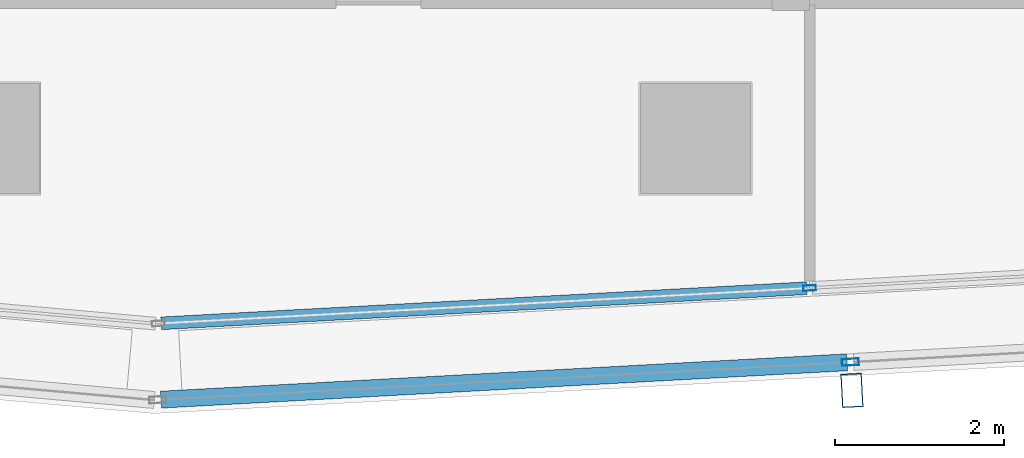
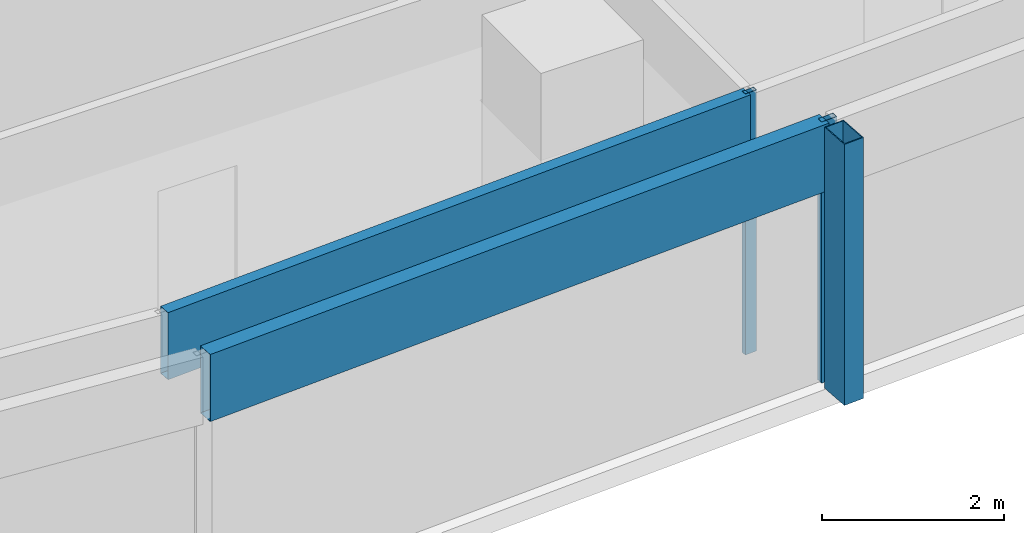
# One storey, part 6 of 26: 5 members, 2 elements without a shape of their own.
"""IFC4 building model written with IfcOpenShell, lengths in metres."""

from ifc_helpers import new_model, si_unit, direction, frame, origin, origin_2d, place, context, subcontext, project, spatial, hollow_rectangle, extrude, material, material_profile, profile_set, type_object, element, aggregate, save


model = new_model("IFC4")

# Units and contexts
model_context = context("Model", 3, precision=1e-05, world=origin(), true_north=direction((0.0, 1.0)))
body_context = subcontext(model_context, "Body", "Model", "MODEL_VIEW")
ifc_project = project(units=[si_unit("LENGTHUNIT", "METRE"), si_unit("AREAUNIT", "SQUARE_METRE"), si_unit("VOLUMEUNIT", "CUBIC_METRE"), si_unit("PLANEANGLEUNIT", "RADIAN"), si_unit("MASSUNIT", "GRAM", prefix="KILO")], contexts=[model_context])

# Site, building, storey
site_placement = place(None, origin())
site = spatial("IfcSite", under=ifc_project, at=site_placement, CompositionType="ELEMENT")
building_placement = place(site_placement, origin())
building = spatial("IfcBuilding", under=site, at=building_placement, Name="Rekha Terrace Tower", CompositionType="ELEMENT")
storey_placement = place(building_placement, frame((0.0, 0.0, 283.85009765625)))
storey = spatial("IfcBuildingStorey", under=building, at=storey_placement, Name="L72", CompositionType="ELEMENT", Elevation=283.85009765625)

# Curtain wall, member
ifc_material_1 = material(Name="Aluminium framing", Category="aluminium")
curtain_wall_type_1 = type_object("IfcCurtainWallType", Name="CW2 double skin outer glazing", PredefinedType="USERDEFINED", material=ifc_material_1)
curtain_wall_1_placement = place(storey_placement, origin())
curtain_wall_1 = element("IfcCurtainWall", 1, at=curtain_wall_1_placement, inside=storey, type_object=curtain_wall_type_1, Name="CW2 double skin outer glazing", ObjectType="DOUBLE SKIN OUTER GLAZING", PredefinedType="USERDEFINED")
ifc_material_2 = material(Name="Steel S355 with fluorocarbon finish", Category="steel")
ifc_material_profile_1 = material_profile(ifc_material_2, hollow_rectangle(XDim=0.25, YDim=0.39990234375, WallThickness=0.012451171875, at=origin_2d()), Name="RHS400x250x12.5")
ifc_profile_set_1 = profile_set([ifc_material_profile_1], Name="Steel S355 with fluorocarbon finish")
member_type_1 = type_object("IfcMemberType", Name="BL1 facade blade RHS 400 x 250", PredefinedType="USERDEFINED", material=ifc_profile_set_1)
member_1_placement = place(storey_placement, frame((35.4482421875, 13.82373046875, 0.0), z_axis=(0.0, 0.0, 1.0), x_axis=(0.99851982155, 0.054389024366, 0.0)))
member_1 = element("IfcMember", 2, at=member_1_placement, type_object=member_type_1, Name="Facade blade", ObjectType="FACADE BLADE", PredefinedType="USERDEFINED", context=body_context, shape_type="SweptSolid", body=[
    extrude(hollow_rectangle(XDim=0.25, YDim=0.39990234375, WallThickness=0.012451171875, at=origin_2d()), origin(), (0.0, 0.0, 1.0), 3.5),
])

# Curtain wall, members
curtain_wall_type_2 = type_object("IfcCurtainWallType", Name="CW1 double skin inner glazing", PredefinedType="USERDEFINED", material=ifc_material_1)
curtain_wall_2_placement = place(storey_placement, origin())
curtain_wall_2 = element("IfcCurtainWall", 3, at=curtain_wall_2_placement, inside=storey, type_object=curtain_wall_type_2, Name="CW1 double skin inner glazing", ObjectType="DOUBLE SKIN INNER GLAZING", PredefinedType="USERDEFINED")
ifc_material_3 = material(Name="Aluminium mullion section", Category="aluminium")
ifc_material_profile_2 = material_profile(ifc_material_3, hollow_rectangle(XDim=0.06494140625, YDim=0.14990234375, WallThickness=0.00390625, at=origin_2d()), Name="AL RHS 65x150")
ifc_profile_set_2 = profile_set([ifc_material_profile_2], Name="Aluminium mullion section")
member_type_2 = type_object("IfcMemberType", Name="CW1 mullion RHS 65 x 150", PredefinedType="MULLION", material=ifc_profile_set_2)
member_2_placement = place(storey_placement, frame((34.94775390625, 15.033447265625, 0.0), z_axis=(0.0, 0.0, 1.0), x_axis=(-0.054388903036, 0.998519828159, 0.0)))
member_2 = element("IfcMember", 4, at=member_2_placement, type_object=member_type_2, Name="CW1 mullion 2", PredefinedType="MULLION", context=body_context, shape_type="SweptSolid", body=[
    extrude(hollow_rectangle(XDim=0.06494140625, YDim=0.14990234375, WallThickness=0.00390625, at=origin_2d()), origin(), (0.0, 0.0, 1.0), 3.5),
])
ifc_material_4 = material(Name="Insulated aluminium spandrel box", Category="aluminium")
ifc_material_profile_3 = material_profile(ifc_material_4, hollow_rectangle(XDim=0.14990234375, YDim=0.89990234375, WallThickness=0.0029296875, at=origin_2d()), Name="AL SPANDREL BOX 150x900")
ifc_profile_set_3 = profile_set([ifc_material_profile_3], Name="Insulated aluminium spandrel box")
member_type_3 = type_object("IfcMemberType", Name="CW1 spandrel transom 150 x 900", PredefinedType="USERDEFINED", material=ifc_profile_set_3)
member_3_placement = place(storey_placement, frame((27.287109375, 14.6162109375, 3.0498046875), z_axis=(0.998521390426, 0.054360213958, 0.0), x_axis=(-0.054360213958, 0.998521390426, 0.0)))
member_3 = element("IfcMember", 5, at=member_3_placement, type_object=member_type_3, Name="CW1 spandrel transom 1", ObjectType="TRANSOM", PredefinedType="USERDEFINED", context=body_context, shape_type="SweptSolid", body=[
    extrude(hollow_rectangle(XDim=0.14990234375, YDim=0.89990234375, WallThickness=0.0029296875, at=origin_2d()), origin(), (0.0, 0.0, 1.0), 7.639404296875),
])
aggregate(curtain_wall_2, [member_2, member_3])

# Member
ifc_material_profile_4 = material_profile(ifc_material_3, hollow_rectangle(XDim=0.080078125, YDim=0.199951171875, WallThickness=0.00390625, at=origin_2d()), Name="AL RHS 80x200")
ifc_profile_set_4 = profile_set([ifc_material_profile_4], Name="Aluminium mullion section")
member_type_4 = type_object("IfcMemberType", Name="CW2 mullion RHS 80 x 200", PredefinedType="MULLION", material=ifc_profile_set_4)
member_4_placement = place(storey_placement, frame((35.429931640625, 14.158203125, 0.0), z_axis=(0.0, 0.0, 1.0), x_axis=(-0.054388903071, 0.998519828157, 0.0)))
member_4 = element("IfcMember", 6, at=member_4_placement, type_object=member_type_4, Name="CW2 mullion 2", PredefinedType="MULLION", context=body_context, shape_type="SweptSolid", body=[
    extrude(hollow_rectangle(XDim=0.080078125, YDim=0.199951171875, WallThickness=0.00390625, at=origin_2d()), origin(), (0.0, 0.0, 1.0), 3.5),
])

ifc_material_profile_5 = material_profile(ifc_material_4, hollow_rectangle(XDim=0.199951171875, YDim=0.89990234375, WallThickness=0.0029296875, at=origin_2d()), Name="AL SPANDREL BOX 200x900")
ifc_profile_set_5 = profile_set([ifc_material_profile_5], Name="Insulated aluminium spandrel box")
member_type_5 = type_object("IfcMemberType", Name="CW2 spandrel transom 200 x 900", PredefinedType="USERDEFINED", material=ifc_profile_set_5)
member_5_placement = place(storey_placement, frame((27.28662109375, 13.71484375, 3.0498046875), z_axis=(0.998521383998, 0.054360332034, 0.0), x_axis=(-0.054360332034, 0.998521383998, 0.0)))
member_5 = element("IfcMember", 7, at=member_5_placement, type_object=member_type_5, Name="CW2 spandrel transom 1", ObjectType="TRANSOM", PredefinedType="USERDEFINED", context=body_context, shape_type="SweptSolid", body=[
    extrude(hollow_rectangle(XDim=0.199951171875, YDim=0.89990234375, WallThickness=0.0029296875, at=origin_2d()), origin(), (0.0, 0.0, 1.0), 8.115478515625),
])

aggregate(curtain_wall_1, [member_4, member_5, member_1])

save(model, "model.ifc")
